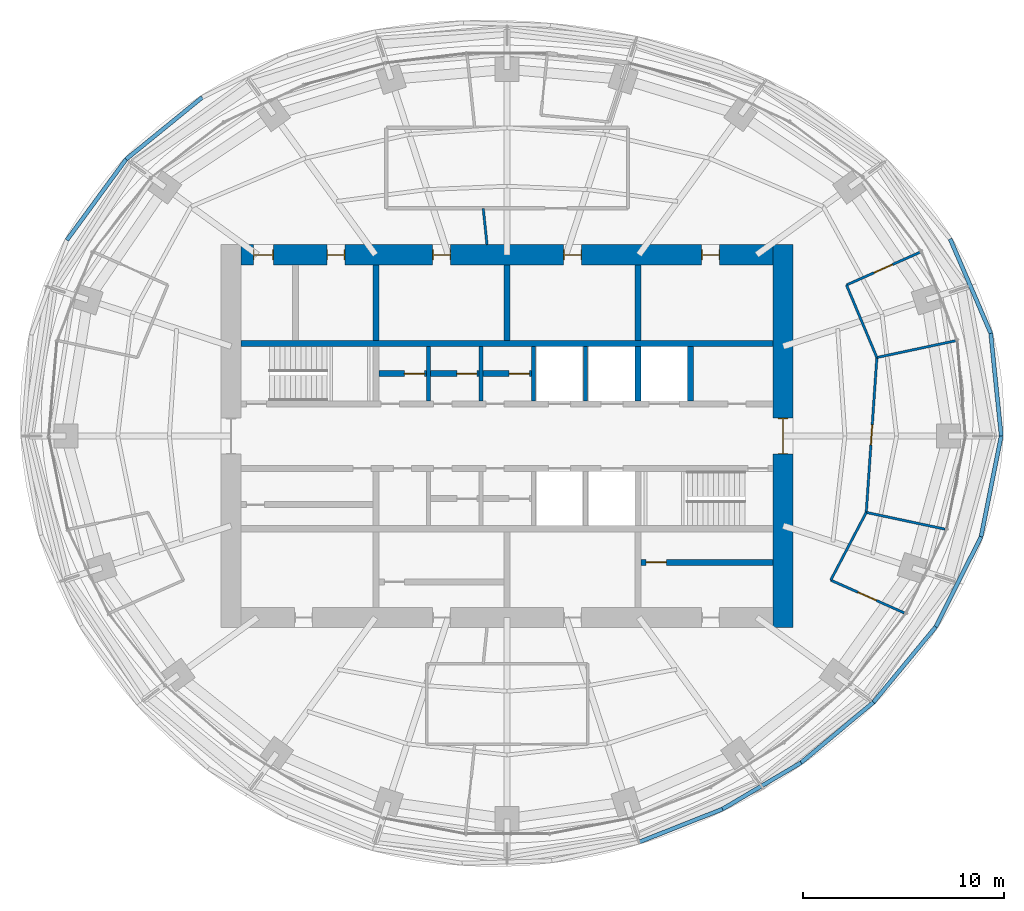
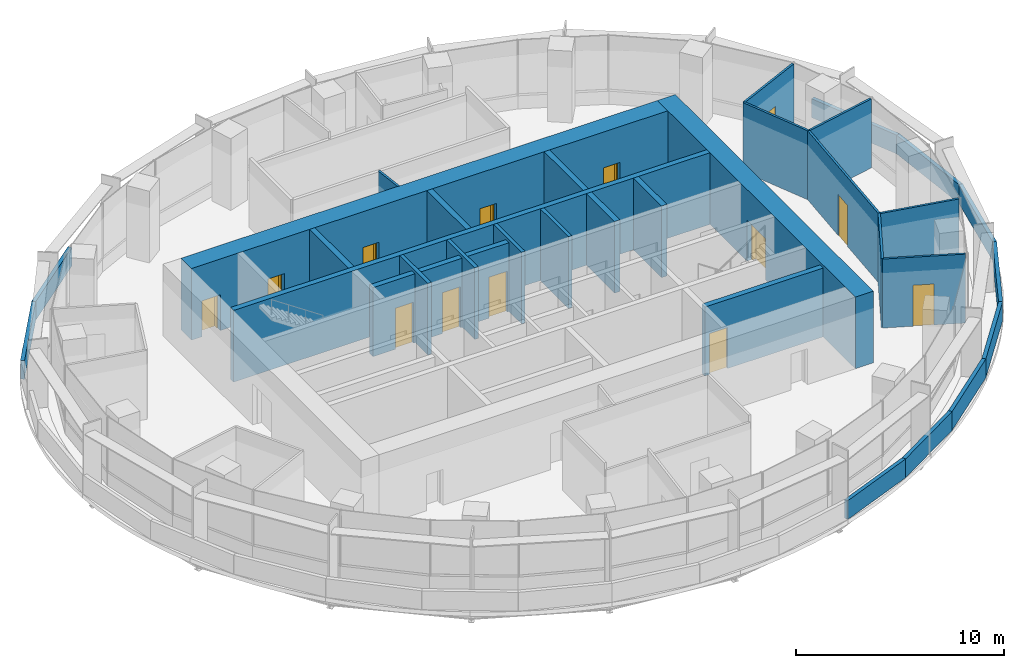
# One storey, part 12 of 15: 34 walls, 13 doors, 13 openings.
"""IFC4 building model written with IfcOpenShell, lengths in metres."""

from ifc_helpers import new_model, si_unit, direction, frame, frame_2d, origin, place, context, subcontext, project, spatial, rectangle, extrude, material, layer, layer_set, type_object, element, fill, save


model = new_model("IFC4")

# Units and contexts
model_context = context("Model", 3, precision=1e-05, world=origin(), true_north=direction((0.0, 1.0)))
body_context = subcontext(model_context, "Body", "Model", "MODEL_VIEW")
ifc_project = project(units=[si_unit("LENGTHUNIT", "METRE"), si_unit("AREAUNIT", "SQUARE_METRE"), si_unit("VOLUMEUNIT", "CUBIC_METRE"), si_unit("PLANEANGLEUNIT", "RADIAN"), si_unit("MASSUNIT", "GRAM", prefix="KILO")], contexts=[model_context])

# Site, building, storey
site_placement = place(None, origin())
site = spatial("IfcSite", under=ifc_project, at=site_placement, CompositionType="ELEMENT")
building_placement = place(site_placement, origin())
building = spatial("IfcBuilding", under=site, at=building_placement, Name="Marramba Exchange Tower", CompositionType="ELEMENT")
storey_placement = place(building_placement, frame((0.0, 0.0, 251.800048828125)))
storey = spatial("IfcBuildingStorey", under=building, at=storey_placement, Name="L61", CompositionType="ELEMENT", Elevation=251.800048828125)

# Walls
ifc_material_1 = material(Name="Concrete N50", Category="concrete")
ifc_layer_1 = layer(ifc_material_1, 0.199951171875)
ifc_layer_set_1 = layer_set([ifc_layer_1], Name="Core shaft wall 200")
wall_type_1 = type_object("IfcWallType", Name="Core shaft wall 200", PredefinedType="SHEAR", material=ifc_layer_set_1)
for number, where, z_axis, x_axis, name in (
    (1, (-3.89990234375, 1.75, 0.0), (0.0, 0.0, 1.0), (0.0, 1.0, 0.0), "Core wall SHN1 L61"),
    (2, (-1.300048828125, 1.75, 0.0), (0.0, 0.0, 1.0), (0.0, 1.0, 0.0), "Core wall SHN2 L61"),
    (3, (1.300048828125, 1.75, 0.0), (0.0, 0.0, 1.0), (0.0, 1.0, 0.0), "Core wall SHN3 L61"),
    (4, (3.89990234375, 1.75, 0.0), (0.0, 0.0, 1.0), (0.0, 1.0, 0.0), "Core wall SHN4 L61"),
):
    element("IfcWall", number, at=place(storey_placement, frame(where, z_axis=z_axis, x_axis=x_axis)), inside=storey, type_object=wall_type_1, Name=name, PredefinedType="SHEAR", context=body_context, shape_type="SweptSolid", body=[
        extrude(rectangle(XDim=2.699951171875, YDim=0.199951171875, at=frame_2d((1.35009765625, 0.0))), origin(), (0.0, 0.0, 1.0), 4.199951171875),
    ])

# Wall, openings, doors
ifc_layer_2 = layer(ifc_material_1, 1.0)
ifc_layer_set_2 = layer_set([ifc_layer_2], Name="Core wall 1000")
wall_type_2 = type_object("IfcWallType", Name="Core wall 1000", PredefinedType="SHEAR", material=ifc_layer_set_2)
wall_1_placement = place(storey_placement, frame((13.199951171875, 9.0, 0.0), z_axis=(0.0, 0.0, 1.0), x_axis=(-1.0, 0.0, 0.0)))
wall_1 = element("IfcWall", 5, at=wall_1_placement, inside=storey, type_object=wall_type_2, Name="Core wall N L61", PredefinedType="SHEAR", context=body_context, shape_type="SweptSolid", body=[
    extrude(rectangle(XDim=26.39990234375, YDim=1.0, at=frame_2d((13.199951171875, 0.0))), origin(), (0.0, 0.0, 1.0), 4.199951171875),
])
opening_1_placement = place(wall_1_placement, frame((2.64990234375, 0.0, 0.0)))
opening_1 = element("IfcOpeningElement", 6, at=opening_1_placement, cuts=wall_1, Name="Opening D5", PredefinedType="OPENING", context=body_context, shape_type="SweptSolid", body=[
    extrude(rectangle(XDim=0.89990234375, YDim=2.10009765625, at=frame_2d((0.449951171875, 1.050048828125))), frame((0.0, 0.510009765625, 0.0), z_axis=(0.0, -1.0, 0.0), x_axis=(1.0, 0.0, 0.0)), (0.0, 0.0, 1.0), 1.02001953125),
])
opening_2_placement = place(wall_1_placement, frame((9.5, 0.0, 0.0)))
opening_2 = element("IfcOpeningElement", 7, at=opening_2_placement, cuts=wall_1, Name="Opening D3", PredefinedType="OPENING", context=body_context, shape_type="SweptSolid", body=[
    extrude(rectangle(XDim=0.89990234375, YDim=2.10009765625, at=frame_2d((0.449951171875, 1.050048828125))), frame((0.0, 0.510009765625, 0.0), z_axis=(0.0, -1.0, 0.0), x_axis=(1.0, 0.0, 0.0)), (0.0, 0.0, 1.0), 1.02001953125),
])
opening_3_placement = place(wall_1_placement, frame((16.0, 0.0, 0.0)))
opening_3 = element("IfcOpeningElement", 8, at=opening_3_placement, cuts=wall_1, Name="Opening D3", PredefinedType="OPENING", context=body_context, shape_type="SweptSolid", body=[
    extrude(rectangle(XDim=0.89990234375, YDim=2.10009765625, at=frame_2d((0.449951171875, 1.050048828125))), frame((0.0, 0.510009765625, 0.0), z_axis=(0.0, -1.0, 0.0), x_axis=(1.0, 0.0, 0.0)), (0.0, 0.0, 1.0), 1.02001953125),
])
opening_4_placement = place(wall_1_placement, frame((21.25, 0.0, 0.0)))
opening_4 = element("IfcOpeningElement", 9, at=opening_4_placement, cuts=wall_1, Name="Opening D5", PredefinedType="OPENING", context=body_context, shape_type="SweptSolid", body=[
    extrude(rectangle(XDim=0.89990234375, YDim=2.10009765625, at=frame_2d((0.449951171875, 1.050048828125))), frame((0.0, 0.510009765625, 0.0), z_axis=(0.0, -1.0, 0.0), x_axis=(1.0, 0.0, 0.0)), (0.0, 0.0, 1.0), 1.02001953125),
])
opening_5_placement = place(wall_1_placement, frame((24.800048828125, 0.0, 0.0)))
opening_5 = element("IfcOpeningElement", 10, at=opening_5_placement, cuts=wall_1, Name="Opening D4", PredefinedType="OPENING", context=body_context, shape_type="SweptSolid", body=[
    extrude(rectangle(XDim=1.0, YDim=2.10009765625, at=frame_2d((0.5, 1.050048828125))), frame((0.0, 0.510009765625, 0.0), z_axis=(0.0, -1.0, 0.0), x_axis=(1.0, 0.0, 0.0)), (0.0, 0.0, 1.0), 1.02001953125),
])
ifc_material_2 = material(Name="Steel-framed door", Category="steel")
door_type_1 = type_object("IfcDoorType", Name="Accessible toilet door 1000x2100", OperationType="SINGLE_SWING_LEFT", PredefinedType="DOOR", material=ifc_material_2)
door_1_placement = place(opening_5_placement, origin())
door_1 = element("IfcDoor", 11, at=door_1_placement, inside=storey, type_object=door_type_1, Name="D4 awc L61", OperationType="SINGLE_SWING_RIGHT", OverallHeight=2.10009765625, OverallWidth=1.0, PredefinedType="DOOR", context=body_context, shape_type="SweptSolid", body=[
    extrude(rectangle(XDim=0.919921875, YDim=2.06005859375, at=frame_2d((0.5, 1.030029296875))), frame((0.0, 0.02490234375, 0.0), z_axis=(0.0, -1.0, 0.0), x_axis=(1.0, 0.0, 0.0)), (0.0, 0.0, 1.0), 0.050048828125),
    extrude(rectangle(XDim=0.04, YDim=2.10009765625, at=frame_2d((0.02001953125, 1.050048828125))), frame((0.0, 0.25, 0.0), z_axis=(0.0, -1.0, 0.0), x_axis=(1.0, 0.0, 0.0)), (0.0, 0.0, 1.0), 0.5),
    extrude(rectangle(XDim=0.04, YDim=2.10009765625, at=frame_2d((0.97998046875, 1.050048828125))), frame((0.0, 0.25, 0.0), z_axis=(0.0, -1.0, 0.0), x_axis=(1.0, 0.0, 0.0)), (0.0, 0.0, 1.0), 0.5),
    extrude(rectangle(XDim=0.919921875, YDim=0.04, at=frame_2d((0.5, 2.080078125))), frame((0.0, 0.25, 0.0), z_axis=(0.0, -1.0, 0.0), x_axis=(1.0, 0.0, 0.0)), (0.0, 0.0, 1.0), 0.5),
])
fill(opening_5, door_1)
door_type_2 = type_object("IfcDoorType", Name="Service door 900x2100", OperationType="SINGLE_SWING_LEFT", PredefinedType="DOOR", material=ifc_material_2)
door_2_placement = place(opening_1_placement, origin())
door_2 = element("IfcDoor", 12, at=door_2_placement, inside=storey, type_object=door_type_2, Name="D5 comms L61", OperationType="SINGLE_SWING_LEFT", OverallHeight=2.10009765625, OverallWidth=0.89990234375, PredefinedType="DOOR", context=body_context, shape_type="SweptSolid", body=[
    extrude(rectangle(XDim=0.81982421875, YDim=2.06005859375, at=frame_2d((0.449951171875, 1.030029296875))), frame((0.0, 0.02490234375, 0.0), z_axis=(0.0, -1.0, 0.0), x_axis=(1.0, 0.0, 0.0)), (0.0, 0.0, 1.0), 0.050048828125),
    extrude(rectangle(XDim=0.04, YDim=2.10009765625, at=frame_2d((0.02001953125, 1.050048828125))), frame((0.0, 0.25, 0.0), z_axis=(0.0, -1.0, 0.0), x_axis=(1.0, 0.0, 0.0)), (0.0, 0.0, 1.0), 0.5),
    extrude(rectangle(XDim=0.04, YDim=2.10009765625, at=frame_2d((0.8798828125, 1.050048828125))), frame((0.0, 0.25, 0.0), z_axis=(0.0, -1.0, 0.0), x_axis=(1.0, 0.0, 0.0)), (0.0, 0.0, 1.0), 0.5),
    extrude(rectangle(XDim=0.81982421875, YDim=0.04, at=frame_2d((0.449951171875, 2.080078125))), frame((0.0, 0.25, 0.0), z_axis=(0.0, -1.0, 0.0), x_axis=(1.0, 0.0, 0.0)), (0.0, 0.0, 1.0), 0.5),
])
fill(opening_1, door_2)
door_3_placement = place(opening_4_placement, origin())
door_3 = element("IfcDoor", 13, at=door_3_placement, inside=storey, type_object=door_type_2, Name="D5 cleaner L61", OperationType="SINGLE_SWING_RIGHT", OverallHeight=2.10009765625, OverallWidth=0.89990234375, PredefinedType="DOOR", context=body_context, shape_type="SweptSolid", body=[
    extrude(rectangle(XDim=0.81982421875, YDim=2.06005859375, at=frame_2d((0.449951171875, 1.030029296875))), frame((0.0, 0.02490234375, 0.0), z_axis=(0.0, -1.0, 0.0), x_axis=(1.0, 0.0, 0.0)), (0.0, 0.0, 1.0), 0.050048828125),
    extrude(rectangle(XDim=0.04, YDim=2.10009765625, at=frame_2d((0.02001953125, 1.050048828125))), frame((0.0, 0.25, 0.0), z_axis=(0.0, -1.0, 0.0), x_axis=(1.0, 0.0, 0.0)), (0.0, 0.0, 1.0), 0.5),
    extrude(rectangle(XDim=0.04, YDim=2.10009765625, at=frame_2d((0.8798828125, 1.050048828125))), frame((0.0, 0.25, 0.0), z_axis=(0.0, -1.0, 0.0), x_axis=(1.0, 0.0, 0.0)), (0.0, 0.0, 1.0), 0.5),
    extrude(rectangle(XDim=0.81982421875, YDim=0.04, at=frame_2d((0.449951171875, 2.080078125))), frame((0.0, 0.25, 0.0), z_axis=(0.0, -1.0, 0.0), x_axis=(1.0, 0.0, 0.0)), (0.0, 0.0, 1.0), 0.5),
])
fill(opening_4, door_3)
door_type_3 = type_object("IfcDoorType", Name="Toilet door 900x2100", OperationType="SINGLE_SWING_LEFT", PredefinedType="DOOR", material=ifc_material_2)
door_4_placement = place(opening_2_placement, origin())
door_4 = element("IfcDoor", 14, at=door_4_placement, inside=storey, type_object=door_type_3, Name="D3 wc-f L61", OperationType="SINGLE_SWING_RIGHT", OverallHeight=2.10009765625, OverallWidth=0.89990234375, PredefinedType="DOOR", context=body_context, shape_type="SweptSolid", body=[
    extrude(rectangle(XDim=0.81982421875, YDim=2.06005859375, at=frame_2d((0.449951171875, 1.030029296875))), frame((0.0, 0.02490234375, 0.0), z_axis=(0.0, -1.0, 0.0), x_axis=(1.0, 0.0, 0.0)), (0.0, 0.0, 1.0), 0.050048828125),
    extrude(rectangle(XDim=0.04, YDim=2.10009765625, at=frame_2d((0.02001953125, 1.050048828125))), frame((0.0, 0.25, 0.0), z_axis=(0.0, -1.0, 0.0), x_axis=(1.0, 0.0, 0.0)), (0.0, 0.0, 1.0), 0.5),
    extrude(rectangle(XDim=0.04, YDim=2.10009765625, at=frame_2d((0.8798828125, 1.050048828125))), frame((0.0, 0.25, 0.0), z_axis=(0.0, -1.0, 0.0), x_axis=(1.0, 0.0, 0.0)), (0.0, 0.0, 1.0), 0.5),
    extrude(rectangle(XDim=0.81982421875, YDim=0.04, at=frame_2d((0.449951171875, 2.080078125))), frame((0.0, 0.25, 0.0), z_axis=(0.0, -1.0, 0.0), x_axis=(1.0, 0.0, 0.0)), (0.0, 0.0, 1.0), 0.5),
])
fill(opening_2, door_4)
door_5_placement = place(opening_3_placement, origin())
door_5 = element("IfcDoor", 15, at=door_5_placement, inside=storey, type_object=door_type_3, Name="D3 wc-m L61", OperationType="SINGLE_SWING_RIGHT", OverallHeight=2.10009765625, OverallWidth=0.89990234375, PredefinedType="DOOR", context=body_context, shape_type="SweptSolid", body=[
    extrude(rectangle(XDim=0.81982421875, YDim=2.06005859375, at=frame_2d((0.449951171875, 1.030029296875))), frame((0.0, 0.02490234375, 0.0), z_axis=(0.0, -1.0, 0.0), x_axis=(1.0, 0.0, 0.0)), (0.0, 0.0, 1.0), 0.050048828125),
    extrude(rectangle(XDim=0.04, YDim=2.10009765625, at=frame_2d((0.02001953125, 1.050048828125))), frame((0.0, 0.25, 0.0), z_axis=(0.0, -1.0, 0.0), x_axis=(1.0, 0.0, 0.0)), (0.0, 0.0, 1.0), 0.5),
    extrude(rectangle(XDim=0.04, YDim=2.10009765625, at=frame_2d((0.8798828125, 1.050048828125))), frame((0.0, 0.25, 0.0), z_axis=(0.0, -1.0, 0.0), x_axis=(1.0, 0.0, 0.0)), (0.0, 0.0, 1.0), 0.5),
    extrude(rectangle(XDim=0.81982421875, YDim=0.04, at=frame_2d((0.449951171875, 2.080078125))), frame((0.0, 0.25, 0.0), z_axis=(0.0, -1.0, 0.0), x_axis=(1.0, 0.0, 0.0)), (0.0, 0.0, 1.0), 0.5),
])
fill(opening_3, door_5)

# Wall, opening, door
wall_2_placement = place(storey_placement, frame((13.699951171875, -9.5, 0.0), z_axis=(0.0, 0.0, 1.0), x_axis=(0.0, 1.0, 0.0)))
wall_2 = element("IfcWall", 16, at=wall_2_placement, inside=storey, type_object=wall_type_2, Name="Core wall E L61", PredefinedType="SHEAR", context=body_context, shape_type="SweptSolid", body=[
    extrude(rectangle(XDim=19.0, YDim=1.0, at=frame_2d((9.5, 0.0))), origin(), (0.0, 0.0, 1.0), 4.199951171875),
])
opening_6_placement = place(wall_2_placement, frame((8.60009765625, 0.0, 0.0)))
opening_6 = element("IfcOpeningElement", 17, at=opening_6_placement, cuts=wall_2, Name="Opening D1", PredefinedType="OPENING", context=body_context, shape_type="SweptSolid", body=[
    extrude(rectangle(XDim=1.800048828125, YDim=2.39990234375, at=frame_2d((0.89990234375, 1.199951171875))), frame((0.0, 0.510009765625, 0.0), z_axis=(0.0, -1.0, 0.0), x_axis=(1.0, 0.0, 0.0)), (0.0, 0.0, 1.0), 1.02001953125),
])
door_type_4 = type_object("IfcDoorType", Name="Lobby exit door 1800x2400", OperationType="DOUBLE_DOOR_SINGLE_SWING", PredefinedType="DOOR", material=ifc_material_2)
door_6_placement = place(opening_6_placement, origin())
door_6 = element("IfcDoor", 18, at=door_6_placement, inside=storey, type_object=door_type_4, Name="D1 lobby exit east L61", OperationType="DOUBLE_DOOR_SINGLE_SWING", OverallHeight=2.39990234375, OverallWidth=1.800048828125, PredefinedType="DOOR", context=body_context, shape_type="SweptSolid", body=[
    extrude(rectangle(XDim=1.719970703125, YDim=2.35986328125, at=frame_2d((0.89990234375, 1.179931640625))), frame((0.0, 0.02490234375, 0.0), z_axis=(0.0, -1.0, 0.0), x_axis=(1.0, 0.0, 0.0)), (0.0, 0.0, 1.0), 0.050048828125),
    extrude(rectangle(XDim=0.04, YDim=2.39990234375, at=frame_2d((0.02001953125, 1.199951171875))), frame((0.0, 0.25, 0.0), z_axis=(0.0, -1.0, 0.0), x_axis=(1.0, 0.0, 0.0)), (0.0, 0.0, 1.0), 0.5),
    extrude(rectangle(XDim=0.04, YDim=2.39990234375, at=frame_2d((1.780029296875, 1.199951171875))), frame((0.0, 0.25, 0.0), z_axis=(0.0, -1.0, 0.0), x_axis=(1.0, 0.0, 0.0)), (0.0, 0.0, 1.0), 0.5),
    extrude(rectangle(XDim=1.719970703125, YDim=0.04, at=frame_2d((0.89990234375, 2.3798828125))), frame((0.0, 0.25, 0.0), z_axis=(0.0, -1.0, 0.0), x_axis=(1.0, 0.0, 0.0)), (0.0, 0.0, 1.0), 0.5),
])
fill(opening_6, door_6)

# Walls
ifc_layer_3 = layer(ifc_material_1, 0.300048828125)
ifc_layer_set_3 = layer_set([ifc_layer_3], Name="Core wall 300")
wall_type_3 = type_object("IfcWallType", Name="Core wall 300", PredefinedType="SHEAR", material=ifc_layer_set_3)
wall_3_placement = place(storey_placement, frame((-13.199951171875, 4.60009765625, 0.0), z_axis=(0.0, 0.0, 1.0), x_axis=(1.0, 0.0, 0.0)))
element("IfcWall", 19, at=wall_3_placement, inside=storey, type_object=wall_type_3, Name="Core wall BN L61", PredefinedType="SHEAR", context=body_context, shape_type="SweptSolid", body=[
    extrude(rectangle(XDim=26.39990234375, YDim=0.300048828125, at=frame_2d((13.199951171875, 0.0))), origin(), (0.0, 0.0, 1.0), 4.199951171875),
])
wall_4_placement = place(storey_placement, frame((-6.5, 4.75, 0.0), z_axis=(0.0, 0.0, 1.0), x_axis=(0.0, 1.0, 0.0)))
element("IfcWall", 20, at=wall_4_placement, inside=storey, type_object=wall_type_3, Name="Core wall X0Nb L61", PredefinedType="SHEAR", context=body_context, shape_type="SweptSolid", body=[
    extrude(rectangle(XDim=3.75, YDim=0.300048828125, at=frame_2d((1.875, 0.0))), origin(), (0.0, 0.0, 1.0), 4.199951171875),
])
wall_5_placement = place(storey_placement, frame((6.5, 1.75, 0.0), z_axis=(0.0, 0.0, 1.0), x_axis=(0.0, 1.0, 0.0)))
element("IfcWall", 21, at=wall_5_placement, inside=storey, type_object=wall_type_3, Name="Core wall X1Na L61", PredefinedType="SHEAR", context=body_context, shape_type="SweptSolid", body=[
    extrude(rectangle(XDim=2.699951171875, YDim=0.300048828125, at=frame_2d((1.35009765625, 0.0))), origin(), (0.0, 0.0, 1.0), 4.199951171875),
])
for number, where, z_axis, x_axis, name in (
    (22, (6.5, 4.75, 0.0), (0.0, 0.0, 1.0), (0.0, 1.0, 0.0), "Core wall X1Nb L61"),
    (23, (0.0, 4.75, 0.0), (0.0, 0.0, 1.0), (0.0, 1.0, 0.0), "Core wall MN L61"),
):
    element("IfcWall", number, at=place(storey_placement, frame(where, z_axis=z_axis, x_axis=x_axis)), inside=storey, type_object=wall_type_3, Name=name, PredefinedType="SHEAR", context=body_context, shape_type="SweptSolid", body=[
        extrude(rectangle(XDim=3.75, YDim=0.300048828125, at=frame_2d((1.875, 0.0))), origin(), (0.0, 0.0, 1.0), 4.199951171875),
    ])
wall_6_placement = place(storey_placement, frame((9.10009765625, 1.75, 0.0), z_axis=(0.0, 0.0, 1.0), x_axis=(0.0, 1.0, 0.0)))
element("IfcWall", 24, at=wall_6_placement, inside=storey, type_object=wall_type_3, Name="Core wall ED L61", PredefinedType="SHEAR", context=body_context, shape_type="SweptSolid", body=[
    extrude(rectangle(XDim=2.699951171875, YDim=0.300048828125, at=frame_2d((1.35009765625, 0.0))), origin(), (0.0, 0.0, 1.0), 4.199951171875),
])

# Wall, opening, door
ifc_material_3 = material(Name="Plasterboard on steel studs", Category="steel")
ifc_layer_4 = layer(ifc_material_3, 0.1201171875)
ifc_layer_set_4 = layer_set([ifc_layer_4], Name="Partition 120")
wall_type_4 = type_object("IfcWallType", Name="Partition 120", PredefinedType="PARTITIONING", material=ifc_layer_set_4)
wall_7_placement = place(storey_placement, frame((16.0625, -7.151611328125, 0.0), z_axis=(0.0, 0.0, 1.0), x_axis=(0.913572283964, -0.406676384824, 0.0)))
wall_7 = element("IfcWall", 25, at=wall_7_placement, inside=storey, type_object=wall_type_4, Name="Partition L61 10", PredefinedType="PARTITIONING", context=body_context, shape_type="SweptSolid", body=[
    extrude(rectangle(XDim=4.0, YDim=0.1201171875, at=frame_2d((2.0, 0.0))), origin(), (0.0, 0.0, 1.0), 4.0400390625),
])
opening_7_placement = place(wall_7_placement, frame((1.47412109375, 0.0, 0.0)))
opening_7 = element("IfcOpeningElement", 26, at=opening_7_placement, cuts=wall_7, Name="Opening D9", PredefinedType="OPENING", context=body_context, shape_type="SweptSolid", body=[
    extrude(rectangle(XDim=1.0, YDim=2.39990234375, at=frame_2d((0.5, 1.199951171875))), frame((0.0, 0.070068359375, 0.0), z_axis=(0.0, -1.0, 0.0), x_axis=(1.0, 0.0, 0.0)), (0.0, 0.0, 1.0), 0.14013671875),
])
ifc_material_4 = material(Name="Timber door", Category="wood")
door_type_5 = type_object("IfcDoorType", Name="Room door 1000x2400", OperationType="SINGLE_SWING_LEFT", PredefinedType="DOOR", material=ifc_material_4)
door_7_placement = place(opening_7_placement, origin())
door_7 = element("IfcDoor", 27, at=door_7_placement, inside=storey, type_object=door_type_5, Name="D9 Executive Office 1 L61", OperationType="SINGLE_SWING_LEFT", OverallHeight=2.39990234375, OverallWidth=1.0, PredefinedType="DOOR", context=body_context, shape_type="SweptSolid", body=[
    extrude(rectangle(XDim=1.0, YDim=2.39990234375, at=frame_2d((0.5, 1.199951171875))), frame((0.0, 0.02490234375, 0.0), z_axis=(0.0, -1.0, 0.0), x_axis=(1.0, 0.0, 0.0)), (0.0, 0.0, 1.0), 0.050048828125),
])
fill(opening_7, door_7)

# Walls
wall_8_placement = place(storey_placement, frame((17.82421875, -3.78857421875, 0.0), z_axis=(0.0, 0.0, 1.0), x_axis=(-0.464033426365, -0.885817689604, 0.0)))
element("IfcWall", 28, at=wall_8_placement, inside=storey, type_object=wall_type_4, Name="Partition L61 11", PredefinedType="PARTITIONING", context=body_context, shape_type="SweptSolid", body=[
    extrude(rectangle(XDim=3.796630859375, YDim=0.1201171875, at=frame_2d((1.8984375, 0.0))), origin(), (0.0, 0.0, 1.0), 4.0400390625),
])
wall_9_placement = place(storey_placement, frame((17.82421875, -3.78857421875, 0.0), z_axis=(0.0, 0.0, 1.0), x_axis=(0.978140543132, -0.207944891454, 0.0)))
element("IfcWall", 29, at=wall_9_placement, inside=storey, type_object=wall_type_4, Name="Partition L61 12", PredefinedType="PARTITIONING", context=body_context, shape_type="SweptSolid", body=[
    extrude(rectangle(XDim=4.0, YDim=0.1201171875, at=frame_2d((2.0, 0.0))), origin(), (0.0, 0.0, 1.0), 4.0400390625),
])

# Wall, opening, door
wall_10_placement = place(storey_placement, frame((18.351318359375, 3.900634765625, 0.0), z_axis=(0.0, 0.0, 1.0), x_axis=(-0.068390063315, -0.99765865868, 0.0)))
wall_10 = element("IfcWall", 30, at=wall_10_placement, inside=storey, type_object=wall_type_4, Name="Partition L61 13", PredefinedType="PARTITIONING", context=body_context, shape_type="SweptSolid", body=[
    extrude(rectangle(XDim=7.707275390625, YDim=0.1201171875, at=frame_2d((3.853515625, 0.0))), origin(), (0.0, 0.0, 1.0), 4.0400390625),
])
opening_8_placement = place(wall_10_placement, frame((3.35400390625, 0.0, 0.0)))
opening_8 = element("IfcOpeningElement", 31, at=opening_8_placement, cuts=wall_10, Name="Opening D9", PredefinedType="OPENING", context=body_context, shape_type="SweptSolid", body=[
    extrude(rectangle(XDim=1.0, YDim=2.39990234375, at=frame_2d((0.5, 1.199951171875))), frame((0.0, 0.070068359375, 0.0), z_axis=(0.0, -1.0, 0.0), x_axis=(1.0, 0.0, 0.0)), (0.0, 0.0, 1.0), 0.14013671875),
])
door_8_placement = place(opening_8_placement, origin())
door_8 = element("IfcDoor", 32, at=door_8_placement, inside=storey, type_object=door_type_5, Name="D9 Executive Office 2 L61", OperationType="SINGLE_SWING_RIGHT", OverallHeight=2.39990234375, OverallWidth=1.0, PredefinedType="DOOR", context=body_context, shape_type="SweptSolid", body=[
    extrude(rectangle(XDim=1.0, YDim=2.39990234375, at=frame_2d((0.5, 1.199951171875))), frame((0.0, 0.02490234375, 0.0), z_axis=(0.0, -1.0, 0.0), x_axis=(1.0, 0.0, 0.0)), (0.0, 0.0, 1.0), 0.050048828125),
])
fill(opening_8, door_8)

# Walls
wall_11_placement = place(storey_placement, frame((18.351318359375, 3.900634765625, 0.0), z_axis=(0.0, 0.0, 1.0), x_axis=(0.978140543132, 0.207944891454, 0.0)))
element("IfcWall", 33, at=wall_11_placement, inside=storey, type_object=wall_type_4, Name="Partition L61 14", PredefinedType="PARTITIONING", context=body_context, shape_type="SweptSolid", body=[
    extrude(rectangle(XDim=4.0, YDim=0.1201171875, at=frame_2d((2.0, 0.0))), origin(), (0.0, 0.0, 1.0), 4.0400390625),
])
wall_12_placement = place(storey_placement, frame((16.84228515625, 7.498779296875, 0.0), z_axis=(0.0, 0.0, 1.0), x_axis=(0.38675585774, -0.922182143887, 0.0)))
element("IfcWall", 34, at=wall_12_placement, inside=storey, type_object=wall_type_4, Name="Partition L61 15", PredefinedType="PARTITIONING", context=body_context, shape_type="SweptSolid", body=[
    extrude(rectangle(XDim=3.90185546875, YDim=0.1201171875, at=frame_2d((1.950927734375, 0.0))), origin(), (0.0, 0.0, 1.0), 4.0400390625),
])

# Wall, opening, door
wall_13_placement = place(storey_placement, frame((20.49658203125, 9.125732421875, 0.0), z_axis=(0.0, 0.0, 1.0), x_axis=(-0.913549606868, -0.406727323635, 0.0)))
wall_13 = element("IfcWall", 35, at=wall_13_placement, inside=storey, type_object=wall_type_4, Name="Partition L61 16", PredefinedType="PARTITIONING", context=body_context, shape_type="SweptSolid", body=[
    extrude(rectangle(XDim=4.0, YDim=0.1201171875, at=frame_2d((2.0, 0.0))), origin(), (0.0, 0.0, 1.0), 4.0400390625),
])
opening_9_placement = place(wall_13_placement, frame((1.5, 0.0, 0.0)))
opening_9 = element("IfcOpeningElement", 36, at=opening_9_placement, cuts=wall_13, Name="Opening D9", PredefinedType="OPENING", context=body_context, shape_type="SweptSolid", body=[
    extrude(rectangle(XDim=1.0, YDim=2.39990234375, at=frame_2d((0.5, 1.199951171875))), frame((0.0, 0.070068359375, 0.0), z_axis=(0.0, -1.0, 0.0), x_axis=(1.0, 0.0, 0.0)), (0.0, 0.0, 1.0), 0.14013671875),
])
door_9_placement = place(opening_9_placement, origin())
door_9 = element("IfcDoor", 37, at=door_9_placement, inside=storey, type_object=door_type_5, Name="D9 Executive Office 3 L61", OperationType="SINGLE_SWING_RIGHT", OverallHeight=2.39990234375, OverallWidth=1.0, PredefinedType="DOOR", context=body_context, shape_type="SweptSolid", body=[
    extrude(rectangle(XDim=1.0, YDim=2.39990234375, at=frame_2d((0.5, 1.199951171875))), frame((0.0, 0.02490234375, 0.0), z_axis=(0.0, -1.0, 0.0), x_axis=(1.0, 0.0, 0.0)), (0.0, 0.0, 1.0), 0.050048828125),
])
fill(opening_9, door_9)

# Walls
wall_14_placement = place(storey_placement, frame((-0.99853515625, 9.5, 0.0), z_axis=(0.0, 0.0, 1.0), x_axis=(-0.104537331683, 0.99452096322, 0.0)))
element("IfcWall", 38, at=wall_14_placement, inside=storey, type_object=wall_type_4, Name="Partition L61 24", PredefinedType="PARTITIONING", context=body_context, shape_type="SweptSolid", body=[
    extrude(rectangle(XDim=1.81005859375, YDim=0.1201171875, at=frame_2d((0.905029296875, 0.0))), origin(), (0.0, 0.0, 1.0), 4.0400390625),
])
ifc_material_5 = material(Name="Concrete N40", Category="concrete")
ifc_layer_5 = layer(ifc_material_5, 0.199951171875)
ifc_layer_set_5 = layer_set([ifc_layer_5], Name="Roof parapet 200")
wall_type_5 = type_object("IfcWallType", Name="Roof parapet 200", PredefinedType="PARAPET", material=ifc_layer_set_5)
wall_15_placement = place(storey_placement, frame((24.52392578125, 0.0, 0.0), z_axis=(0.0, 0.0, 1.0), x_axis=(-0.10144542049, 0.994841106238, 0.0)))
element("IfcWall", 39, at=wall_15_placement, inside=storey, type_object=wall_type_5, Name="Parapet L61 F01", PredefinedType="PARAPET", context=body_context, shape_type="SweptSolid", body=[
    extrude(rectangle(XDim=5.12841796875, YDim=0.199951171875, at=frame_2d((2.564208984375, 0.0))), origin(), (0.0, 0.0, 1.0), 1.099853515625),
])
wall_16_placement = place(storey_placement, frame((24.003662109375, 5.10205078125, 0.0), z_axis=(0.0, 0.0, 1.0), x_axis=(-0.3953624821, 0.918525180791, 0.0)))
element("IfcWall", 40, at=wall_16_placement, inside=storey, type_object=wall_type_5, Name="Parapet L61 F02", PredefinedType="PARAPET", context=body_context, shape_type="SweptSolid", body=[
    extrude(rectangle(XDim=5.1025390625, YDim=0.199951171875, at=frame_2d((2.55126953125, 0.0))), origin(), (0.0, 0.0, 1.0), 1.099853515625),
])
wall_17_placement = place(storey_placement, frame((-15.138671875, 16.813232421875, 0.0), z_axis=(0.0, 0.0, 1.0), x_axis=(-0.775490598879, -0.631359114174, 0.0)))
element("IfcWall", 41, at=wall_17_placement, inside=storey, type_object=wall_type_5, Name="Parapet L61 F12", PredefinedType="PARAPET", context=body_context, shape_type="SweptSolid", body=[
    extrude(rectangle(XDim=4.866455078125, YDim=0.199951171875, at=frame_2d((2.43310546875, 0.0))), origin(), (0.0, 0.0, 1.0), 1.099853515625),
])
wall_18_placement = place(storey_placement, frame((-18.91259765625, 13.74072265625, 0.0), z_axis=(0.0, 0.0, 1.0), x_axis=(-0.591095479089, -0.806601595957, 0.0)))
element("IfcWall", 42, at=wall_18_placement, inside=storey, type_object=wall_type_5, Name="Parapet L61 F13", PredefinedType="PARAPET", context=body_context, shape_type="SweptSolid", body=[
    extrude(rectangle(XDim=4.973388671875, YDim=0.199951171875, at=frame_2d((2.48681640625, 0.0))), origin(), (0.0, 0.0, 1.0), 1.099853515625),
])
wall_19_placement = place(storey_placement, frame((6.5478515625, -20.15234375, 0.0), z_axis=(0.0, 0.0, 1.0), x_axis=(0.929891398117, 0.367834185072, 0.0)))
element("IfcWall", 43, at=wall_19_placement, inside=storey, type_object=wall_type_5, Name="Parapet L61 F25", PredefinedType="PARAPET", context=body_context, shape_type="SweptSolid", body=[
    extrude(rectangle(XDim=4.45361328125, YDim=0.199951171875, at=frame_2d((2.226806640625, 0.0))), origin(), (0.0, 0.0, 1.0), 1.099853515625),
])
wall_20_placement = place(storey_placement, frame((10.689208984375, -18.51416015625, 0.0), z_axis=(0.0, 0.0, 1.0), x_axis=(0.860842907296, 0.508870797902, 0.0)))
element("IfcWall", 44, at=wall_20_placement, inside=storey, type_object=wall_type_5, Name="Parapet L61 F26", PredefinedType="PARAPET", context=body_context, shape_type="SweptSolid", body=[
    extrude(rectangle(XDim=4.5341796875, YDim=0.199951171875, at=frame_2d((2.26708984375, 0.0))), origin(), (0.0, 0.0, 1.0), 1.099853515625),
])
wall_21_placement = place(storey_placement, frame((14.592529296875, -16.206787109375, 0.0), z_axis=(0.0, 0.0, 1.0), x_axis=(0.767806030926, 0.640682369723, 0.0)))
element("IfcWall", 45, at=wall_21_placement, inside=storey, type_object=wall_type_5, Name="Parapet L61 F27", PredefinedType="PARAPET", context=body_context, shape_type="SweptSolid", body=[
    extrude(rectangle(XDim=4.676513671875, YDim=0.199951171875, at=frame_2d((2.33837890625, 0.0))), origin(), (0.0, 0.0, 1.0), 1.099853515625),
])
wall_22_placement = place(storey_placement, frame((18.18310546875, -13.210693359375, 0.0), z_axis=(0.0, 0.0, 1.0), x_axis=(0.636851530046, 0.770986464653, 0.0)))
element("IfcWall", 46, at=wall_22_placement, inside=storey, type_object=wall_type_5, Name="Parapet L61 F28", PredefinedType="PARAPET", context=body_context, shape_type="SweptSolid", body=[
    extrude(rectangle(XDim=4.8505859375, YDim=0.199951171875, at=frame_2d((2.42529296875, 0.0))), origin(), (0.0, 0.0, 1.0), 1.099853515625),
])
wall_23_placement = place(storey_placement, frame((21.272216796875, -9.470947265625, 0.0), z_axis=(0.0, 0.0, 1.0), x_axis=(0.449377961482, 0.893341730657, 0.0)))
element("IfcWall", 47, at=wall_23_placement, inside=storey, type_object=wall_type_5, Name="Parapet L61 F29", PredefinedType="PARAPET", context=body_context, shape_type="SweptSolid", body=[
    extrude(rectangle(XDim=5.00537109375, YDim=0.199951171875, at=frame_2d((2.502685546875, 0.0))), origin(), (0.0, 0.0, 1.0), 1.099853515625),
])
wall_24_placement = place(storey_placement, frame((23.521484375, -4.99951171875, 0.0), z_axis=(0.0, 0.0, 1.0), x_axis=(0.19659491086, 0.980484798976, 0.0)))
element("IfcWall", 48, at=wall_24_placement, inside=storey, type_object=wall_type_5, Name="Parapet L61 F30", PredefinedType="PARAPET", context=body_context, shape_type="SweptSolid", body=[
    extrude(rectangle(XDim=5.09912109375, YDim=0.199951171875, at=frame_2d((2.549560546875, 0.0))), origin(), (0.0, 0.0, 1.0), 1.099853515625),
])

# Wall, opening, door
ifc_material_6 = material(Name="Plasterboard on steel studs, insulated, unrated", Category="steel")
ifc_layer_6 = layer(ifc_material_6, 0.300048828125)
ifc_layer_set_6 = layer_set([ifc_layer_6], Name="Store partition 300")
wall_type_6 = type_object("IfcWallType", Name="Store partition 300", PredefinedType="PARTITIONING", material=ifc_layer_set_6)
wall_25_placement = place(storey_placement, frame((-6.35009765625, 3.10009765625, 0.0), z_axis=(0.0, 0.0, 1.0), x_axis=(1.0, 0.0, 0.0)))
wall_25 = element("IfcWall", 49, at=wall_25_placement, inside=storey, type_object=wall_type_6, Name="Store partition L61 N1", PredefinedType="PARTITIONING", context=body_context, shape_type="SweptSolid", body=[
    extrude(rectangle(XDim=2.35009765625, YDim=0.300048828125, at=frame_2d((1.175048828125, 0.0))), origin(), (0.0, 0.0, 1.0), 4.0400390625),
])
opening_10_placement = place(wall_25_placement, frame((1.25, 0.0, 0.0)))
opening_10 = element("IfcOpeningElement", 50, at=opening_10_placement, cuts=wall_25, Name="Opening D9", PredefinedType="OPENING", context=body_context, shape_type="SweptSolid", body=[
    extrude(rectangle(XDim=1.0, YDim=2.39990234375, at=frame_2d((0.5, 1.199951171875))), frame((0.0, 0.159912109375, 0.0), z_axis=(0.0, -1.0, 0.0), x_axis=(1.0, 0.0, 0.0)), (0.0, 0.0, 1.0), 0.320068359375),
])
door_10_placement = place(opening_10_placement, origin())
door_10 = element("IfcDoor", 51, at=door_10_placement, inside=storey, type_object=door_type_5, Name="D9 store room N1 L61", OperationType="SINGLE_SWING_RIGHT", OverallHeight=2.39990234375, OverallWidth=1.0, PredefinedType="DOOR", context=body_context, shape_type="SweptSolid", body=[
    extrude(rectangle(XDim=1.0, YDim=2.39990234375, at=frame_2d((0.5, 1.199951171875))), frame((0.0, 0.02490234375, 0.0), z_axis=(0.0, -1.0, 0.0), x_axis=(1.0, 0.0, 0.0)), (0.0, 0.0, 1.0), 0.050048828125),
])
fill(opening_10, door_10)

wall_26_placement = place(storey_placement, frame((-3.800048828125, 3.10009765625, 0.0), z_axis=(0.0, 0.0, 1.0), x_axis=(1.0, 0.0, 0.0)))
wall_26 = element("IfcWall", 52, at=wall_26_placement, inside=storey, type_object=wall_type_6, Name="Store partition L61 N2", PredefinedType="PARTITIONING", context=body_context, shape_type="SweptSolid", body=[
    extrude(rectangle(XDim=2.400146484375, YDim=0.300048828125, at=frame_2d((1.2001953125, 0.0))), origin(), (0.0, 0.0, 1.0), 4.0400390625),
])
opening_11_placement = place(wall_26_placement, frame((1.300048828125, 0.0, 0.0)))
opening_11 = element("IfcOpeningElement", 53, at=opening_11_placement, cuts=wall_26, Name="Opening D9", PredefinedType="OPENING", context=body_context, shape_type="SweptSolid", body=[
    extrude(rectangle(XDim=1.0, YDim=2.39990234375, at=frame_2d((0.5, 1.199951171875))), frame((0.0, 0.159912109375, 0.0), z_axis=(0.0, -1.0, 0.0), x_axis=(1.0, 0.0, 0.0)), (0.0, 0.0, 1.0), 0.320068359375),
])
door_11_placement = place(opening_11_placement, origin())
door_11 = element("IfcDoor", 54, at=door_11_placement, inside=storey, type_object=door_type_5, Name="D9 store room N2 L61", OperationType="SINGLE_SWING_RIGHT", OverallHeight=2.39990234375, OverallWidth=1.0, PredefinedType="DOOR", context=body_context, shape_type="SweptSolid", body=[
    extrude(rectangle(XDim=1.0, YDim=2.39990234375, at=frame_2d((0.5, 1.199951171875))), frame((0.0, 0.02490234375, 0.0), z_axis=(0.0, -1.0, 0.0), x_axis=(1.0, 0.0, 0.0)), (0.0, 0.0, 1.0), 0.050048828125),
])
fill(opening_11, door_11)

wall_27_placement = place(storey_placement, frame((-1.199951171875, 3.10009765625, 0.0), z_axis=(0.0, 0.0, 1.0), x_axis=(1.0, 0.0, 0.0)))
wall_27 = element("IfcWall", 55, at=wall_27_placement, inside=storey, type_object=wall_type_6, Name="Store partition L61 N3", PredefinedType="PARTITIONING", context=body_context, shape_type="SweptSolid", body=[
    extrude(rectangle(XDim=2.39990234375, YDim=0.300048828125, at=frame_2d((1.199951171875, 0.0))), origin(), (0.0, 0.0, 1.0), 4.0400390625),
])
opening_12_placement = place(wall_27_placement, frame((1.300048828125, 0.0, 0.0)))
opening_12 = element("IfcOpeningElement", 56, at=opening_12_placement, cuts=wall_27, Name="Opening D9", PredefinedType="OPENING", context=body_context, shape_type="SweptSolid", body=[
    extrude(rectangle(XDim=1.0, YDim=2.39990234375, at=frame_2d((0.5, 1.199951171875))), frame((0.0, 0.159912109375, 0.0), z_axis=(0.0, -1.0, 0.0), x_axis=(1.0, 0.0, 0.0)), (0.0, 0.0, 1.0), 0.320068359375),
])
door_12_placement = place(opening_12_placement, origin())
door_12 = element("IfcDoor", 57, at=door_12_placement, inside=storey, type_object=door_type_5, Name="D9 store room N3 L61", OperationType="SINGLE_SWING_RIGHT", OverallHeight=2.39990234375, OverallWidth=1.0, PredefinedType="DOOR", context=body_context, shape_type="SweptSolid", body=[
    extrude(rectangle(XDim=1.0, YDim=2.39990234375, at=frame_2d((0.5, 1.199951171875))), frame((0.0, 0.02490234375, 0.0), z_axis=(0.0, -1.0, 0.0), x_axis=(1.0, 0.0, 0.0)), (0.0, 0.0, 1.0), 0.050048828125),
])
fill(opening_12, door_12)

wall_28_placement = place(storey_placement, frame((6.64990234375, -6.27197265625, 0.0), z_axis=(0.0, 0.0, 1.0), x_axis=(1.0, 0.0, 0.0)))
wall_28 = element("IfcWall", 58, at=wall_28_placement, inside=storey, type_object=wall_type_6, Name="Store partition L61 cstore", PredefinedType="PARTITIONING", context=body_context, shape_type="SweptSolid", body=[
    extrude(rectangle(XDim=6.550048828125, YDim=0.300048828125, at=frame_2d((3.27490234375, 0.0))), origin(), (0.0, 0.0, 1.0), 4.0400390625),
])
opening_13_placement = place(wall_28_placement, frame((0.25, 0.0, 0.0)))
opening_13 = element("IfcOpeningElement", 59, at=opening_13_placement, cuts=wall_28, Name="Opening D9", PredefinedType="OPENING", context=body_context, shape_type="SweptSolid", body=[
    extrude(rectangle(XDim=1.0, YDim=2.39990234375, at=frame_2d((0.5, 1.199951171875))), frame((0.0, 0.159912109375, 0.0), z_axis=(0.0, -1.0, 0.0), x_axis=(1.0, 0.0, 0.0)), (0.0, 0.0, 1.0), 0.320068359375),
])
door_13_placement = place(opening_13_placement, origin())
door_13 = element("IfcDoor", 60, at=door_13_placement, inside=storey, type_object=door_type_5, Name="D9 general store L61", OperationType="SINGLE_SWING_LEFT", OverallHeight=2.39990234375, OverallWidth=1.0, PredefinedType="DOOR", context=body_context, shape_type="SweptSolid", body=[
    extrude(rectangle(XDim=1.0, YDim=2.39990234375, at=frame_2d((0.5, 1.199951171875))), frame((0.0, 0.02490234375, 0.0), z_axis=(0.0, -1.0, 0.0), x_axis=(1.0, 0.0, 0.0)), (0.0, 0.0, 1.0), 0.050048828125),
])
fill(opening_13, door_13)

save(model, "model.ifc")
